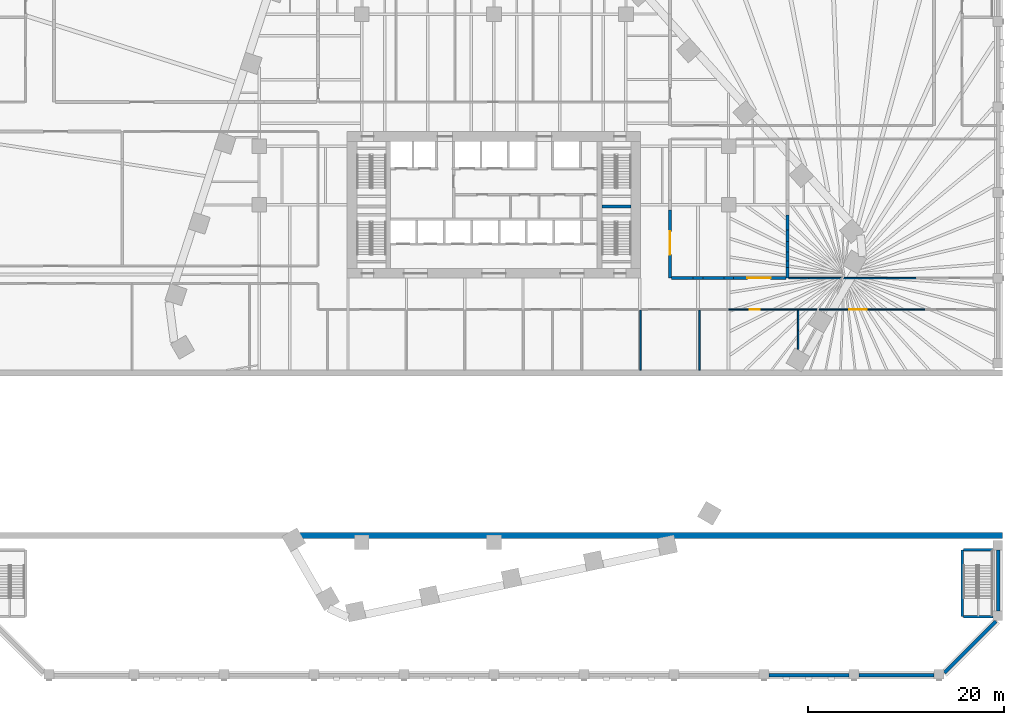
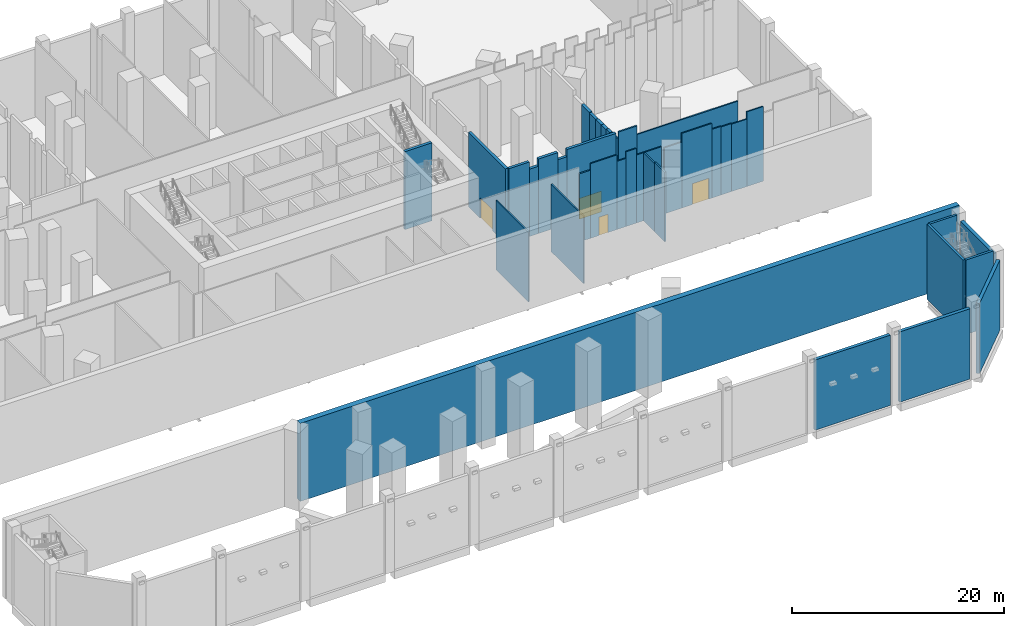
# One storey, part 9 of 23: 39 walls, 4 doors, 4 openings.
"""IFC4 building model written with IfcOpenShell, lengths in metres."""

import ifcopenshell
import ifcopenshell.guid

model = None  # the IFC model being written
_history = None  # IfcOwnerHistory: only IFC2X3 demands one
_inside = {}  # id of a spatial element -> (the spatial element, [elements in it])
_under = {}  # id of a project, library or spatial element -> (it, [spatial elements below it])
_declared = {}  # id of a project -> (the project, [libraries it declares])
_typed = {}  # id of a type object -> (the type object, [elements of that type])
_made_of = {}  # id of a material, layer set ... -> (it, [elements and type objects made of it])


def new_model(schema):
    """Start an empty IFC model of exactly this schema.

    Asked for "IFC4X3", IfcOpenShell would pick the latest addendum, in which some entities
    have other attributes; the version numbers below select the first issue.
    IFC2X3 requires an IfcOwnerHistory on every rooted entity: one is made here for all.
    """
    global model, _history
    if schema == "IFC4X3":
        model = ifcopenshell.file(schema_version=(4, 3, 0, 0))
    else:
        model = ifcopenshell.file(schema=schema)
    _inside.clear()
    _under.clear()
    _declared.clear()
    _typed.clear()
    _made_of.clear()
    _history = None
    if model.schema == "IFC2X3":
        org = make("IfcOrganization", Name="unknown")
        user = make(
            "IfcPersonAndOrganization",
            ThePerson=make("IfcPerson", FamilyName="unknown"),
            TheOrganization=org,
        )
        app = make(
            "IfcApplication",
            ApplicationDeveloper=org,
            Version="unknown",
            ApplicationFullName="unknown",
            ApplicationIdentifier="unknown",
        )
        _history = make(
            "IfcOwnerHistory",
            OwningUser=user,
            OwningApplication=app,
            ChangeAction="ADDED",
            CreationDate=0,
        )
    return model


def make(cls, **values):
    """One entity of the class cls with the attributes given. An attribute that is None is left unset."""
    return model.create_entity(
        cls, **{name: value for name, value in values.items() if value is not None}
    )


def rooted(cls, **values):
    """An entity with a GlobalId (a new one), such as an element, a storey or a relation."""
    return make(cls, GlobalId=ifcopenshell.guid.new(), OwnerHistory=_history, **values)


def si_unit(unit_type, name, prefix=None):
    """IfcSIUnit, for example si_unit("LENGTHUNIT", "METRE", prefix="MILLI")."""
    return make("IfcSIUnit", UnitType=unit_type, Prefix=prefix, Name=name)


def assignment(units):
    """IfcUnitAssignment: the units of a project."""
    return None if units is None else make("IfcUnitAssignment", Units=units)


def point(xyz):
    """IfcCartesianPoint."""
    return None if xyz is None else make("IfcCartesianPoint", Coordinates=xyz)


def direction(xyz):
    """IfcDirection."""
    return None if xyz is None else make("IfcDirection", DirectionRatios=xyz)


def frame(location, z_axis=None, x_axis=None):
    """IfcAxis2Placement3D, a coordinate frame: its origin and axes. An axis left out is left unset."""
    return make(
        "IfcAxis2Placement3D",
        Location=point(location),
        Axis=direction(z_axis),
        RefDirection=direction(x_axis),
    )


def frame_2d(location, x_axis=None):
    """IfcAxis2Placement2D, a coordinate frame in the plane: its origin and x axis."""
    return make(
        "IfcAxis2Placement2D", Location=point(location), RefDirection=direction(x_axis)
    )


def origin():
    """The frame at (0, 0, 0) with its axes left unset."""
    return frame((0.0, 0.0, 0.0))


def place(relative_to, where):
    """IfcLocalPlacement: puts the frame where relative to a parent placement (None: the world)."""
    return make(
        "IfcLocalPlacement", PlacementRelTo=relative_to, RelativePlacement=where
    )


def context(
    kind, dimensions, precision=None, world=None, true_north=None, identifier=None
):
    """IfcGeometricRepresentationContext, for example the 3D "Model" context."""
    return make(
        "IfcGeometricRepresentationContext",
        ContextIdentifier=identifier,
        ContextType=kind,
        CoordinateSpaceDimension=dimensions,
        Precision=precision,
        WorldCoordinateSystem=world,
        TrueNorth=true_north,
    )


def subcontext(parent, identifier, kind, view, scale=None):
    """IfcGeometricRepresentationSubContext, for example "Body" below "Model"."""
    return make(
        "IfcGeometricRepresentationSubContext",
        ContextIdentifier=identifier,
        ContextType=kind,
        ParentContext=parent,
        TargetScale=scale,
        TargetView=view,
    )


def project(units=None, contexts=None):
    """IfcProject with its units and contexts."""
    return rooted(
        "IfcProject",
        Name="project",
        RepresentationContexts=contexts,
        UnitsInContext=assignment(units),
    )


def spatial(cls, under=None, at=None, **own):
    """A site, building, storey or space (cls), placed at a placement, below another one or the project."""
    s = rooted(cls, ObjectPlacement=at, **own)
    if under is not None:
        _under.setdefault(under.id(), (under, []))[1].append(s)
    return s


def profile(cls, at=None, kind="AREA", **sizes):
    """A parametric profile (cls). Its sizes go by their IFC names, for example OverallWidth=200.0."""
    return make(cls, ProfileType=kind, Position=at, **sizes)


def rectangle(**sizes):
    """IfcRectangleProfileDef."""
    return profile("IfcRectangleProfileDef", **sizes)


def extrude(swept, where, along, depth):
    """IfcExtrudedAreaSolid: the profile swept, set in the frame where, extruded along a direction by depth."""
    return make(
        "IfcExtrudedAreaSolid",
        SweptArea=swept,
        Position=where,
        ExtrudedDirection=direction(along),
        Depth=depth,
    )


def shape(context_of_items, identifier, shape_type, items):
    """IfcShapeRepresentation: the items that make up one representation, for example the "Body"."""
    return make(
        "IfcShapeRepresentation",
        ContextOfItems=context_of_items,
        RepresentationIdentifier=identifier,
        RepresentationType=shape_type,
        Items=items,
    )


def material(Name=None, Category=None):
    """IfcMaterial."""
    return make("IfcMaterial", Name=Name, Category=Category)


def layer(
    of_material, thickness, ventilated=None, Name=None, Category=None, Priority=None
):
    """IfcMaterialLayer: one layer of a wall or slab, of a material (None: an air gap)."""
    return make(
        "IfcMaterialLayer",
        Material=of_material,
        LayerThickness=thickness,
        IsVentilated=ventilated,
        Name=Name,
        Category=Category,
        Priority=Priority,
    )


def layer_set(layers, Name=None):
    """IfcMaterialLayerSet."""
    return make("IfcMaterialLayerSet", MaterialLayers=layers, LayerSetName=Name)


def made_of(thing, what):
    """Note that an element or type object is made of a material, layer set ...; save() writes the relation."""
    if what is not None:
        _made_of.setdefault(what.id(), (what, []))[1].append(thing)
    return thing


def type_object(cls, material=None, **own):
    """A type object (cls), such as IfcWallType, which elements share."""
    return made_of(rooted(cls, **own), material)


def element(
    cls,
    number,
    at=None,
    inside=None,
    cuts=None,
    type_object=None,
    material=None,
    context=None,
    identifier="Body",
    shape_type=None,
    held_by="IfcProductDefinitionShape",
    body=None,
    shapes=None,
    **own,
):
    """One element of the class cls, such as IfcWall. Its Tag is "e" and its number.

    at: its placement. inside: the storey or other place that contains it. cuts: it is an
    opening in that element (IfcRelVoidsElement). A single representation is given by context,
    identifier, shape_type and body (its items); several are given by shapes. held_by: the class
    of the entity that holds the representations. save() writes the other relations.
    """
    e = rooted(cls, Tag="e%d" % number, ObjectPlacement=at, **own)
    if body is not None:
        shapes = [shape(context, identifier, shape_type, body)]
    if shapes is not None:
        e.Representation = make(held_by, Representations=shapes)
    if inside is not None:
        _inside.setdefault(inside.id(), (inside, []))[1].append(e)
    if cuts is not None:
        rooted(
            "IfcRelVoidsElement", RelatingBuildingElement=cuts, RelatedOpeningElement=e
        )
    if type_object is not None:
        _typed.setdefault(type_object.id(), (type_object, []))[1].append(e)
    return made_of(e, material)


def fill(opening, filler):
    """IfcRelFillsElement: the door or window that sits in an opening."""
    return rooted(
        "IfcRelFillsElement",
        RelatingOpeningElement=opening,
        RelatedBuildingElement=filler,
    )


def aggregate(whole, parts):
    """IfcRelAggregates: a whole, such as a stair, and the parts it consists of."""
    return rooted("IfcRelAggregates", RelatingObject=whole, RelatedObjects=parts)


def save(model, path):
    """Write the relations noted so far, then the file.

    IfcRelAggregates (storeys below a building ...), IfcRelContainedInSpatialStructure (elements
    in a storey), IfcRelDefinesByType, IfcRelAssociatesMaterial and IfcRelDeclares: one each for
    every whole, place, type object, material and project.
    """
    for whole, parts in _under.values():
        aggregate(whole, parts)
    for where, things in _inside.values():
        rooted(
            "IfcRelContainedInSpatialStructure",
            RelatedElements=things,
            RelatingStructure=where,
        )
    for kind, things in _typed.values():
        rooted("IfcRelDefinesByType", RelatedObjects=things, RelatingType=kind)
    for what, things in _made_of.values():
        rooted("IfcRelAssociatesMaterial", RelatedObjects=things, RelatingMaterial=what)
    for by, libraries in _declared.values():
        rooted("IfcRelDeclares", RelatingContext=by, RelatedDefinitions=libraries)
    model.write(path)


model = new_model("IFC4")

# Units and contexts
model_context = context("Model", 3, precision=1e-05, world=origin(), true_north=direction((0.0, 1.0)))
body_context = subcontext(model_context, "Body", "Model", "MODEL_VIEW")
ifc_project = project(units=[si_unit("LENGTHUNIT", "METRE"), si_unit("AREAUNIT", "SQUARE_METRE"), si_unit("VOLUMEUNIT", "CUBIC_METRE"), si_unit("PLANEANGLEUNIT", "RADIAN"), si_unit("MASSUNIT", "GRAM", prefix="KILO")], contexts=[model_context])

# Site, building, storey
site_placement = place(None, origin())
site = spatial("IfcSite", under=ifc_project, at=site_placement, CompositionType="ELEMENT")
building_placement = place(site_placement, origin())
building = spatial("IfcBuilding", under=site, at=building_placement, Name="Isthmus Gate Tower", CompositionType="ELEMENT")
storey_placement = place(building_placement, frame((0.0, 0.0, 9.0)))
storey = spatial("IfcBuildingStorey", under=building, at=storey_placement, Name="L01", CompositionType="ELEMENT", Elevation=9.0)

# Walls
ifc_material_1 = material(Name="Double-leaf gypsum board with mineral wool, resilient mounted")
ifc_layer_1 = layer(ifc_material_1, 0.300048828125)
ifc_layer_set_1 = layer_set([ifc_layer_1], Name="Acoustic studio wall 300 double leaf")
wall_type_1 = type_object("IfcWallType", Name="Acoustic studio wall 300 double leaf", PredefinedType="PARTITIONING", material=ifc_layer_set_1)
wall_1_placement = place(storey_placement, frame((18.14990234375, 0.0, 0.0), z_axis=(0.0, 0.0, 1.0), x_axis=(1.0, 0.0, 0.0)))
element("IfcWall", 1, at=wall_1_placement, inside=storey, type_object=wall_type_1, Name="Acoustic studio wall", PredefinedType="PARTITIONING", context=body_context, shape_type="SweptSolid", body=[
    extrude(rectangle(XDim=2.222412109375, YDim=0.300048828125, at=frame_2d((1.111328125, 0.0))), origin(), (0.0, 0.0, 1.0), 8.60009765625),
])
wall_2_placement = place(storey_placement, frame((20.372314453125, 0.0, 0.0), z_axis=(0.0, 0.0, 1.0), x_axis=(1.0, 0.0, 0.0)))
element("IfcWall", 2, at=wall_2_placement, inside=storey, type_object=wall_type_1, Name="Acoustic studio wall", PredefinedType="PARTITIONING", context=body_context, shape_type="SweptSolid", body=[
    extrude(rectangle(XDim=1.0, YDim=0.300048828125, at=frame_2d((0.5, 0.0))), origin(), (0.0, 0.0, 1.0), 7.764892578125),
])
wall_3_placement = place(storey_placement, frame((21.372314453125, 0.0, 0.0), z_axis=(0.0, 0.0, 1.0), x_axis=(1.0, 0.0, 0.0)))
element("IfcWall", 3, at=wall_3_placement, inside=storey, type_object=wall_type_1, Name="Acoustic studio wall", PredefinedType="PARTITIONING", context=body_context, shape_type="SweptSolid", body=[
    extrude(rectangle(XDim=2.127685546875, YDim=0.300048828125, at=frame_2d((1.06396484375, 0.0))), origin(), (0.0, 0.0, 1.0), 8.60009765625),
])
wall_4_placement = place(storey_placement, frame((23.5, 0.0, 0.0), z_axis=(0.0, 0.0, 1.0), x_axis=(1.0, 0.0, 0.0)))
element("IfcWall", 4, at=wall_4_placement, inside=storey, type_object=wall_type_1, Name="Acoustic studio wall", PredefinedType="PARTITIONING", context=body_context, shape_type="SweptSolid", body=[
    extrude(rectangle(XDim=1.0, YDim=0.300048828125, at=frame_2d((0.5, 0.0))), origin(), (0.0, 0.0, 1.0), 7.764892578125),
])

# Wall, opening, door
wall_5_placement = place(storey_placement, frame((24.5, 0.0, 0.0), z_axis=(0.0, 0.0, 1.0), x_axis=(1.0, 0.0, 0.0)))
wall_5 = element("IfcWall", 5, at=wall_5_placement, inside=storey, type_object=wall_type_1, Name="Acoustic studio wall", PredefinedType="PARTITIONING", context=body_context, shape_type="SweptSolid", body=[
    extrude(rectangle(XDim=5.35009765625, YDim=0.300048828125, at=frame_2d((2.675048828125, 0.0))), origin(), (0.0, 0.0, 1.0), 8.60009765625),
])
opening_1_placement = place(wall_5_placement, frame((1.39990234375, 0.0, 0.0)))
opening_1 = element("IfcOpeningElement", 6, at=opening_1_placement, cuts=wall_5, Name="Opening DP01-33", PredefinedType="OPENING", context=body_context, shape_type="SweptSolid", body=[
    extrude(rectangle(XDim=2.39990234375, YDim=2.39990234375, at=frame_2d((1.199951171875, 1.199951171875))), frame((0.0, 0.159912109375, 0.0), z_axis=(0.0, -1.0, 0.0), x_axis=(1.0, 0.0, 0.0)), (0.0, 0.0, 1.0), 0.320068359375),
])
ifc_material_2 = material(Name="Hollow metal frame with solid-core timber leaves", Category="wood")
door_type_1 = type_object("IfcDoorType", Name="Double swing door 2400 x 2400", OperationType="DOUBLE_DOOR_SINGLE_SWING", PredefinedType="DOOR", material=ifc_material_2)
door_1_placement = place(opening_1_placement, origin())
door_1 = element("IfcDoor", 7, at=door_1_placement, inside=storey, type_object=door_type_1, Name="Door DP01-33", OperationType="SINGLE_SWING_LEFT", OverallHeight=2.39990234375, OverallWidth=2.39990234375, PredefinedType="DOOR", context=body_context, shape_type="SweptSolid", body=[
    extrude(rectangle(XDim=2.39990234375, YDim=2.39990234375, at=frame_2d((1.199951171875, 1.199951171875))), frame((0.0, 0.02490234375, 0.0), z_axis=(0.0, -1.0, 0.0), x_axis=(1.0, 0.0, 0.0)), (0.0, 0.0, 1.0), 0.050048828125),
])
fill(opening_1, door_1)

wall_6_placement = place(storey_placement, frame((18.0, 0.0, 0.0), z_axis=(0.0, 0.0, 1.0), x_axis=(0.0, 1.0, 0.0)))
wall_6 = element("IfcWall", 8, at=wall_6_placement, inside=storey, type_object=wall_type_1, Name="Acoustic studio wall", PredefinedType="PARTITIONING", context=body_context, shape_type="SweptSolid", body=[
    extrude(rectangle(XDim=7.0, YDim=0.300048828125, at=frame_2d((3.5, 0.0))), origin(), (0.0, 0.0, 1.0), 8.60009765625),
])
opening_2_placement = place(wall_6_placement, frame((2.39990234375, 0.0, 0.0)))
opening_2 = element("IfcOpeningElement", 9, at=opening_2_placement, cuts=wall_6, Name="Opening DP01-32", PredefinedType="OPENING", context=body_context, shape_type="SweptSolid", body=[
    extrude(rectangle(XDim=2.39990234375, YDim=2.39990234375, at=frame_2d((1.199951171875, 1.199951171875))), frame((0.0, 0.159912109375, 0.0), z_axis=(0.0, -1.0, 0.0), x_axis=(1.0, 0.0, 0.0)), (0.0, 0.0, 1.0), 0.320068359375),
])
door_2_placement = place(opening_2_placement, origin())
door_2 = element("IfcDoor", 10, at=door_2_placement, inside=storey, type_object=door_type_1, Name="Door DP01-32", OperationType="SINGLE_SWING_LEFT", OverallHeight=2.39990234375, OverallWidth=2.39990234375, PredefinedType="DOOR", context=body_context, shape_type="SweptSolid", body=[
    extrude(rectangle(XDim=2.39990234375, YDim=2.39990234375, at=frame_2d((1.199951171875, 1.199951171875))), frame((0.0, 0.02490234375, 0.0), z_axis=(0.0, -1.0, 0.0), x_axis=(1.0, 0.0, 0.0)), (0.0, 0.0, 1.0), 0.050048828125),
])
fill(opening_2, door_2)

# Walls
wall_7_placement = place(storey_placement, frame((30.0, 0.0, 0.0), z_axis=(0.0, 0.0, 1.0), x_axis=(0.0, 1.0, 0.0)))
element("IfcWall", 11, at=wall_7_placement, inside=storey, type_object=wall_type_1, Name="Acoustic studio wall", PredefinedType="PARTITIONING", context=body_context, shape_type="SweptSolid", body=[
    extrude(rectangle(XDim=1.080322265625, YDim=0.300048828125, at=frame_2d((0.5400390625, 0.0))), origin(), (0.0, 0.0, 1.0), 7.920654296875),
])
wall_8_placement = place(storey_placement, frame((30.0, 1.080322265625, 0.0), z_axis=(0.0, 0.0, 1.0), x_axis=(0.0, 1.0, 0.0)))
element("IfcWall", 12, at=wall_8_placement, inside=storey, type_object=wall_type_1, Name="Acoustic studio wall", PredefinedType="PARTITIONING", context=body_context, shape_type="SweptSolid", body=[
    extrude(rectangle(XDim=0.67431640625, YDim=0.300048828125, at=frame_2d((0.337158203125, 0.0))), origin(), (0.0, 0.0, 1.0), 7.920654296875),
])
wall_9_placement = place(storey_placement, frame((30.0, 1.754638671875, 0.0), z_axis=(0.0, 0.0, 1.0), x_axis=(0.0, 1.0, 0.0)))
element("IfcWall", 13, at=wall_9_placement, inside=storey, type_object=wall_type_1, Name="Acoustic studio wall", PredefinedType="PARTITIONING", context=body_context, shape_type="SweptSolid", body=[
    extrude(rectangle(XDim=0.94091796875, YDim=0.300048828125, at=frame_2d((0.470458984375, 0.0))), origin(), (0.0, 0.0, 1.0), 7.8505859375),
])
wall_10_placement = place(storey_placement, frame((30.0, 2.695556640625, 0.0), z_axis=(0.0, 0.0, 1.0), x_axis=(0.0, 1.0, 0.0)))
element("IfcWall", 14, at=wall_10_placement, inside=storey, type_object=wall_type_1, Name="Acoustic studio wall", PredefinedType="PARTITIONING", context=body_context, shape_type="SweptSolid", body=[
    extrude(rectangle(XDim=1.037841796875, YDim=0.300048828125, at=frame_2d((0.51904296875, 0.0))), origin(), (0.0, 0.0, 1.0), 7.8505859375),
])
wall_11_placement = place(storey_placement, frame((30.0, 3.7333984375, 0.0), z_axis=(0.0, 0.0, 1.0), x_axis=(0.0, 1.0, 0.0)))
element("IfcWall", 15, at=wall_11_placement, inside=storey, type_object=wall_type_1, Name="Acoustic studio wall", PredefinedType="PARTITIONING", context=body_context, shape_type="SweptSolid", body=[
    extrude(rectangle(XDim=1.20947265625, YDim=0.300048828125, at=frame_2d((0.604736328125, 0.0))), origin(), (0.0, 0.0, 1.0), 7.8505859375),
])
wall_12_placement = place(storey_placement, frame((30.0, 4.94287109375, 0.0), z_axis=(0.0, 0.0, 1.0), x_axis=(0.0, 1.0, 0.0)))
element("IfcWall", 16, at=wall_12_placement, inside=storey, type_object=wall_type_1, Name="Acoustic studio wall", PredefinedType="PARTITIONING", context=body_context, shape_type="SweptSolid", body=[
    extrude(rectangle(XDim=1.50439453125, YDim=0.300048828125, at=frame_2d((0.752197265625, 0.0))), origin(), (0.0, 0.0, 1.0), 7.920654296875),
])
ifc_material_3 = material(Name="Precast concrete C40/50, limestone-faced", Category="masonry")
ifc_layer_2 = layer(ifc_material_3, 0.35009765625)
ifc_layer_set_2 = layer_set([ifc_layer_2], Name="PODIUM CLADDING WALL 350")
wall_type_2 = type_object("IfcWallType", Name="PODIUM CLADDING WALL 350", PredefinedType="SOLIDWALL", material=ifc_layer_set_2)
wall_13_placement = place(storey_placement, frame((28.10009765625, -40.574951171875, -0.39990234375), z_axis=(0.0, 0.0, 1.0), x_axis=(1.0, 0.0, 0.0)))
element("IfcWall", 17, at=wall_13_placement, inside=storey, type_object=wall_type_2, Name="PODIUM WALL", PredefinedType="SOLIDWALL", context=body_context, shape_type="SweptSolid", body=[
    extrude(rectangle(XDim=8.199951171875, YDim=0.35009765625, at=frame_2d((4.10009765625, 0.0))), origin(), (0.0, 0.0, 1.0), 8.099853515625),
])
wall_14_placement = place(storey_placement, frame((37.300048828125, -40.574951171875, -0.39990234375), z_axis=(0.0, 0.0, 1.0), x_axis=(1.0, 0.0, 0.0)))
element("IfcWall", 18, at=wall_14_placement, inside=storey, type_object=wall_type_2, Name="PODIUM WALL", PredefinedType="SOLIDWALL", context=body_context, shape_type="SweptSolid", body=[
    extrude(rectangle(XDim=7.699951171875, YDim=0.35009765625, at=frame_2d((3.85009765625, 0.0))), origin(), (0.0, 0.0, 1.0), 8.099853515625),
])
wall_15_placement = place(storey_placement, frame((46.071533203125, -40.327392578125, -0.39990234375), z_axis=(0.0, 0.0, 1.0), x_axis=(0.707106781187, 0.707106781187, 0.0)))
element("IfcWall", 19, at=wall_15_placement, inside=storey, type_object=wall_type_2, Name="PODIUM WALL", PredefinedType="SOLIDWALL", context=body_context, shape_type="SweptSolid", body=[
    extrude(rectangle(XDim=7.432861328125, YDim=0.35009765625, at=frame_2d((3.71630859375, 0.0))), origin(), (0.0, 0.0, 1.0), 8.099853515625),
])
wall_16_placement = place(storey_placement, frame((51.574951171875, -34.0, -0.39990234375), z_axis=(0.0, 0.0, 1.0), x_axis=(0.0, 1.0, 0.0)))
element("IfcWall", 20, at=wall_16_placement, inside=storey, type_object=wall_type_2, Name="PODIUM WALL", PredefinedType="SOLIDWALL", context=body_context, shape_type="SweptSolid", body=[
    extrude(rectangle(XDim=6.199951171875, YDim=0.35009765625, at=frame_2d((3.10009765625, 0.0))), origin(), (0.0, 0.0, 1.0), 8.099853515625),
])
ifc_material_4 = material(Name="Gypsum board on cold-formed steel studs", Category="steel")
ifc_layer_3 = layer(ifc_material_4, 0.14990234375)
ifc_layer_set_3 = layer_set([ifc_layer_3])
wall_type_3 = type_object("IfcWallType", Name="Partition 150 gypsum board on steel studs", PredefinedType="PARTITIONING", material=ifc_layer_set_3)
wall_17_placement = place(storey_placement, frame((24.025146484375, -3.199951171875, 0.0), z_axis=(0.0, 0.0, 1.0), x_axis=(1.0, 0.0, 0.0)))
element("IfcWall", 21, at=wall_17_placement, inside=storey, type_object=wall_type_3, Name="Partition", PredefinedType="PARTITIONING", context=body_context, shape_type="SweptSolid", body=[
    extrude(rectangle(XDim=1.227294921875, YDim=0.14990234375, at=frame_2d((0.61376953125, 0.0))), origin(), (0.0, 0.0, 1.0), 7.8505859375),
])

# Wall, opening, door
wall_18_placement = place(storey_placement, frame((25.25244140625, -3.199951171875, 0.0), z_axis=(0.0, 0.0, 1.0), x_axis=(1.0, 0.0, 0.0)))
wall_18 = element("IfcWall", 22, at=wall_18_placement, inside=storey, type_object=wall_type_3, Name="Partition", PredefinedType="PARTITIONING", context=body_context, shape_type="SweptSolid", body=[
    extrude(rectangle(XDim=2.870849609375, YDim=0.14990234375, at=frame_2d((1.435546875, 0.0))), origin(), (0.0, 0.0, 1.0), 8.60009765625),
])
opening_3_placement = place(wall_18_placement, frame((0.89990234375, 0.0, 0.0)))
opening_3 = element("IfcOpeningElement", 23, at=opening_3_placement, cuts=wall_18, Name="Opening DP01-22", PredefinedType="OPENING", context=body_context, shape_type="SweptSolid", body=[
    extrude(rectangle(XDim=1.0, YDim=2.10009765625, at=frame_2d((0.5, 1.050048828125))), frame((0.0, 0.0849609375, 0.0), z_axis=(0.0, -1.0, 0.0), x_axis=(1.0, 0.0, 0.0)), (0.0, 0.0, 1.0), 0.169921875),
])
ifc_material_5 = material(Name="Hollow metal frame with solid-core timber leaf", Category="wood")
door_type_2 = type_object("IfcDoorType", Name="Single swing door 1000 x 2100", OperationType="SINGLE_SWING_LEFT", PredefinedType="DOOR", material=ifc_material_5)
door_3_placement = place(opening_3_placement, origin())
door_3 = element("IfcDoor", 24, at=door_3_placement, inside=storey, type_object=door_type_2, Name="Door DP01-22", OperationType="SINGLE_SWING_LEFT", OverallHeight=2.10009765625, OverallWidth=1.0, PredefinedType="DOOR", context=body_context, shape_type="SweptSolid", body=[
    extrude(rectangle(XDim=1.0, YDim=2.10009765625, at=frame_2d((0.5, 1.050048828125))), frame((0.0, 0.02490234375, 0.0), z_axis=(0.0, -1.0, 0.0), x_axis=(1.0, 0.0, 0.0)), (0.0, 0.0, 1.0), 0.050048828125),
])
fill(opening_3, door_3)

# Walls
wall_19_placement = place(storey_placement, frame((28.123291015625, -3.199951171875, 0.0), z_axis=(0.0, 0.0, 1.0), x_axis=(1.0, 0.0, 0.0)))
element("IfcWall", 25, at=wall_19_placement, inside=storey, type_object=wall_type_3, Name="Partition", PredefinedType="PARTITIONING", context=body_context, shape_type="SweptSolid", body=[
    extrude(rectangle(XDim=1.0, YDim=0.14990234375, at=frame_2d((0.5, 0.0))), origin(), (0.0, 0.0, 1.0), 7.8505859375),
])
wall_20_placement = place(storey_placement, frame((29.123291015625, -3.199951171875, 0.0), z_axis=(0.0, 0.0, 1.0), x_axis=(1.0, 0.0, 0.0)))
element("IfcWall", 26, at=wall_20_placement, inside=storey, type_object=wall_type_3, Name="Partition", PredefinedType="PARTITIONING", context=body_context, shape_type="SweptSolid", body=[
    extrude(rectangle(XDim=1.127197265625, YDim=0.14990234375, at=frame_2d((0.5634765625, 0.0))), origin(), (0.0, 0.0, 1.0), 8.60009765625),
])
wall_21_placement = place(storey_placement, frame((30.25048828125, -3.199951171875, 0.0), z_axis=(0.0, 0.0, 1.0), x_axis=(1.0, 0.0, 0.0)))
element("IfcWall", 27, at=wall_21_placement, inside=storey, type_object=wall_type_3, Name="Partition", PredefinedType="PARTITIONING", context=body_context, shape_type="SweptSolid", body=[
    extrude(rectangle(XDim=1.0, YDim=0.14990234375, at=frame_2d((0.5, 0.0))), origin(), (0.0, 0.0, 1.0), 7.84130859375),
])
wall_22_placement = place(storey_placement, frame((31.25048828125, -3.199951171875, 0.0), z_axis=(0.0, 0.0, 1.0), x_axis=(1.0, 0.0, 0.0)))
element("IfcWall", 28, at=wall_22_placement, inside=storey, type_object=wall_type_3, Name="Partition", PredefinedType="PARTITIONING", context=body_context, shape_type="SweptSolid", body=[
    extrude(rectangle(XDim=1.730712890625, YDim=0.14990234375, at=frame_2d((0.865234375, 0.0))), origin(), (0.0, 0.0, 1.0), 7.84130859375),
])
wall_23_placement = place(storey_placement, frame((33.285888671875, -3.199951171875, 0.0), z_axis=(0.0, 0.0, 1.0), x_axis=(1.0, 0.0, 0.0)))
element("IfcWall", 29, at=wall_23_placement, inside=storey, type_object=wall_type_3, Name="Partition", PredefinedType="PARTITIONING", context=body_context, shape_type="SweptSolid", body=[
    extrude(rectangle(XDim=1.903564453125, YDim=0.14990234375, at=frame_2d((0.95166015625, 0.0))), origin(), (0.0, 0.0, 1.0), 7.60009765625),
])

# Wall, opening, door
wall_24_placement = place(storey_placement, frame((35.189453125, -3.199951171875, 0.0), z_axis=(0.0, 0.0, 1.0), x_axis=(1.0, 0.0, 0.0)))
wall_24 = element("IfcWall", 30, at=wall_24_placement, inside=storey, type_object=wall_type_3, Name="Partition", PredefinedType="PARTITIONING", context=body_context, shape_type="SweptSolid", body=[
    extrude(rectangle(XDim=3.2890625, YDim=0.14990234375, at=frame_2d((1.64453125, 0.0))), origin(), (0.0, 0.0, 1.0), 8.60009765625),
])
opening_4_placement = place(wall_24_placement, frame((1.14990234375, 0.0, 0.0)))
opening_4 = element("IfcOpeningElement", 31, at=opening_4_placement, cuts=wall_24, Name="Opening DP01-23", PredefinedType="OPENING", context=body_context, shape_type="SweptSolid", body=[
    extrude(rectangle(XDim=1.800048828125, YDim=2.39990234375, at=frame_2d((0.89990234375, 1.199951171875))), frame((0.0, 0.0849609375, 0.0), z_axis=(0.0, -1.0, 0.0), x_axis=(1.0, 0.0, 0.0)), (0.0, 0.0, 1.0), 0.169921875),
])
ifc_material_6 = material(Name="Hollow metal frame with solid-core timber leaves", Category="wood")
door_type_3 = type_object("IfcDoorType", Name="Double swing door 1800 x 2400", OperationType="DOUBLE_DOOR_SINGLE_SWING", PredefinedType="DOOR", material=ifc_material_6)
door_4_placement = place(opening_4_placement, origin())
door_4 = element("IfcDoor", 32, at=door_4_placement, inside=storey, type_object=door_type_3, Name="Door DP01-23", OperationType="SINGLE_SWING_LEFT", OverallHeight=2.39990234375, OverallWidth=1.800048828125, PredefinedType="DOOR", context=body_context, shape_type="SweptSolid", body=[
    extrude(rectangle(XDim=1.800048828125, YDim=2.39990234375, at=frame_2d((0.89990234375, 1.199951171875))), frame((0.0, 0.02490234375, 0.0), z_axis=(0.0, -1.0, 0.0), x_axis=(1.0, 0.0, 0.0)), (0.0, 0.0, 1.0), 0.050048828125),
])
fill(opening_4, door_4)

# Walls
wall_25_placement = place(storey_placement, frame((38.478515625, -3.199951171875, 0.0), z_axis=(0.0, 0.0, 1.0), x_axis=(1.0, 0.0, 0.0)))
element("IfcWall", 33, at=wall_25_placement, inside=storey, type_object=wall_type_3, Name="Partition", PredefinedType="PARTITIONING", context=body_context, shape_type="SweptSolid", body=[
    extrude(rectangle(XDim=1.0, YDim=0.14990234375, at=frame_2d((0.5, 0.0))), origin(), (0.0, 0.0, 1.0), 7.920654296875),
])
wall_26_placement = place(storey_placement, frame((39.478515625, -3.199951171875, 0.0), z_axis=(0.0, 0.0, 1.0), x_axis=(1.0, 0.0, 0.0)))
element("IfcWall", 34, at=wall_26_placement, inside=storey, type_object=wall_type_3, Name="Partition", PredefinedType="PARTITIONING", context=body_context, shape_type="SweptSolid", body=[
    extrude(rectangle(XDim=1.143310546875, YDim=0.14990234375, at=frame_2d((0.57177734375, 0.0))), origin(), (0.0, 0.0, 1.0), 7.84130859375),
])
wall_27_placement = place(storey_placement, frame((40.621826171875, -3.199951171875, 0.0), z_axis=(0.0, 0.0, 1.0), x_axis=(1.0, 0.0, 0.0)))
element("IfcWall", 35, at=wall_27_placement, inside=storey, type_object=wall_type_3, Name="Partition", PredefinedType="PARTITIONING", context=body_context, shape_type="SweptSolid", body=[
    extrude(rectangle(XDim=1.670166015625, YDim=0.14990234375, at=frame_2d((0.8349609375, 0.0))), origin(), (0.0, 0.0, 1.0), 7.764892578125),
])
wall_28_placement = place(storey_placement, frame((42.2919921875, -3.199951171875, 0.0), z_axis=(0.0, 0.0, 1.0), x_axis=(1.0, 0.0, 0.0)))
element("IfcWall", 36, at=wall_28_placement, inside=storey, type_object=wall_type_3, Name="Partition", PredefinedType="PARTITIONING", context=body_context, shape_type="SweptSolid", body=[
    extrude(rectangle(XDim=1.785400390625, YDim=0.14990234375, at=frame_2d((0.892578125, 0.0))), origin(), (0.0, 0.0, 1.0), 8.60009765625),
])
wall_29_placement = place(storey_placement, frame((30.14990234375, 0.0, 0.0), z_axis=(0.0, 0.0, 1.0), x_axis=(1.0, 0.0, 0.0)))
element("IfcWall", 37, at=wall_29_placement, inside=storey, type_object=wall_type_3, Name="Partition", PredefinedType="PARTITIONING", context=body_context, shape_type="SweptSolid", body=[
    extrude(rectangle(XDim=2.020751953125, YDim=0.14990234375, at=frame_2d((1.01025390625, 0.0))), origin(), (0.0, 0.0, 1.0), 8.60009765625),
])
wall_30_placement = place(storey_placement, frame((32.170654296875, 0.0, 0.0), z_axis=(0.0, 0.0, 1.0), x_axis=(1.0, 0.0, 0.0)))
element("IfcWall", 38, at=wall_30_placement, inside=storey, type_object=wall_type_3, Name="Partition", PredefinedType="PARTITIONING", context=body_context, shape_type="SweptSolid", body=[
    extrude(rectangle(XDim=11.01513671875, YDim=0.14990234375, at=frame_2d((5.507568359375, 0.0))), origin(), (0.0, 0.0, 1.0), 7.60009765625),
])
wall_31_placement = place(storey_placement, frame((15.0, -9.39990234375, 0.0), z_axis=(0.0, 0.0, 1.0), x_axis=(0.0, 1.0, 0.0)))
element("IfcWall", 39, at=wall_31_placement, inside=storey, type_object=wall_type_3, Name="Partition", PredefinedType="PARTITIONING", context=body_context, shape_type="SweptSolid", body=[
    extrude(rectangle(XDim=6.125, YDim=0.14990234375, at=frame_2d((3.0625, 0.0))), origin(), (0.0, 0.0, 1.0), 7.996826171875),
])
wall_32_placement = place(storey_placement, frame((21.0, -9.39990234375, 0.0), z_axis=(0.0, 0.0, 1.0), x_axis=(0.0, 1.0, 0.0)))
element("IfcWall", 40, at=wall_32_placement, inside=storey, type_object=wall_type_3, Name="Partition", PredefinedType="PARTITIONING", context=body_context, shape_type="SweptSolid", body=[
    extrude(rectangle(XDim=6.125, YDim=0.14990234375, at=frame_2d((3.0625, 0.0))), origin(), (0.0, 0.0, 1.0), 7.764892578125),
])
wall_33_placement = place(storey_placement, frame((31.090087890625, -7.267333984375, 0.0), z_axis=(0.0, 0.0, 1.0), x_axis=(0.0, 1.0, 0.0)))
element("IfcWall", 41, at=wall_33_placement, inside=storey, type_object=wall_type_3, Name="Partition", PredefinedType="PARTITIONING", context=body_context, shape_type="SweptSolid", body=[
    extrude(rectangle(XDim=1.93505859375, YDim=0.14990234375, at=frame_2d((0.967529296875, 0.0))), origin(), (0.0, 0.0, 1.0), 8.0),
])
wall_34_placement = place(storey_placement, frame((31.090087890625, -5.332275390625, 0.0), z_axis=(0.0, 0.0, 1.0), x_axis=(0.0, 1.0, 0.0)))
element("IfcWall", 42, at=wall_34_placement, inside=storey, type_object=wall_type_3, Name="Partition", PredefinedType="PARTITIONING", context=body_context, shape_type="SweptSolid", body=[
    extrude(rectangle(XDim=2.057373046875, YDim=0.14990234375, at=frame_2d((1.02880859375, 0.0))), origin(), (0.0, 0.0, 1.0), 7.84130859375),
])
ifc_material_7 = material(Name="Concrete f'c 70 MPa", Category="concrete")
ifc_layer_4 = layer(ifc_material_7, 0.60009765625)
ifc_layer_set_4 = layer_set([ifc_layer_4], Name="RC PASSAGE WALL 600 F'C 70")
wall_type_4 = type_object("IfcWallType", Name="RC PASSAGE WALL 600 F'C 70", PredefinedType="SOLIDWALL", material=ifc_layer_set_4)
wall_35_placement = place(storey_placement, frame((-19.86083984375, -26.300048828125, -0.39990234375), z_axis=(0.0, 0.0, 1.0), x_axis=(1.0, 0.0, 0.0)))
element("IfcWall", 43, at=wall_35_placement, inside=storey, type_object=wall_type_4, Name="str-passwall-S-L01-2", PredefinedType="SOLIDWALL", context=body_context, shape_type="SweptSolid", body=[
    extrude(rectangle(XDim=71.86083984375, YDim=0.60009765625, at=frame_2d((35.930419921875, 0.0))), origin(), (0.0, 0.0, 1.0), 9.0),
])
ifc_material_8 = material(Name="Concrete f'c 40 MPa", Category="concrete")
ifc_layer_5 = layer(ifc_material_8, 0.300048828125)
ifc_layer_set_5 = layer_set([ifc_layer_5], Name="STAIR ENCLOSURE WALL 300 180 MIN")
wall_type_5 = type_object("IfcWallType", Name="STAIR ENCLOSURE WALL 300 180 MIN", PredefinedType="SOLIDWALL", material=ifc_layer_set_5)
wall_36_placement = place(storey_placement, frame((11.050048828125, 7.35009765625, -0.39990234375), z_axis=(0.0, 0.0, 1.0), x_axis=(1.0, 0.0, 0.0)))
element("IfcWall", 44, at=wall_36_placement, inside=storey, type_object=wall_type_5, Name="L01 STAIR ENCLOSURE WALL 300 180 MIN", PredefinedType="SOLIDWALL", context=body_context, shape_type="SweptSolid", body=[
    extrude(rectangle(XDim=2.949951171875, YDim=0.300048828125, at=frame_2d((1.47509765625, 0.0))), origin(), (0.0, 0.0, 1.0), 9.0),
])
ifc_material_9 = material(Name="Concrete f'c 40 MPa", Category="concrete")
ifc_layer_6 = layer(ifc_material_9, 0.25)
ifc_layer_set_6 = layer_set([ifc_layer_6])
wall_type_6 = type_object("IfcWallType", Name="Stair shaft wall 250 reinforced concrete", PredefinedType="SHEAR", material=ifc_layer_set_6)
for number, where, z_axis, x_axis, name in (
    (45, (48.0, -34.60009765625, 0.0), (0.0, 0.0, 1.0), (1.0, 0.0, 0.0), "Stair shaft wall"),
    (46, (48.0, -27.779052734375, 0.0), (0.0, 0.0, 1.0), (1.0, 0.0, 0.0), "Stair shaft wall"),
):
    element("IfcWall", number, at=place(storey_placement, frame(where, z_axis=z_axis, x_axis=x_axis)), inside=storey, type_object=wall_type_6, Name=name, PredefinedType="SHEAR", context=body_context, shape_type="SweptSolid", body=[
        extrude(rectangle(XDim=3.0, YDim=0.25, at=frame_2d((1.5, 0.0))), origin(), (0.0, 0.0, 1.0), 8.60009765625),
    ])
wall_37_placement = place(storey_placement, frame((47.875, -34.60009765625, 0.0), z_axis=(0.0, 0.0, 1.0), x_axis=(0.0, 1.0, 0.0)))
element("IfcWall", 47, at=wall_37_placement, inside=storey, type_object=wall_type_6, Name="Stair shaft wall", PredefinedType="SHEAR", context=body_context, shape_type="SweptSolid", body=[
    extrude(rectangle(XDim=6.821044921875, YDim=0.25, at=frame_2d((3.41064453125, 0.0))), origin(), (0.0, 0.0, 1.0), 8.60009765625),
])

save(model, "model.ifc")
